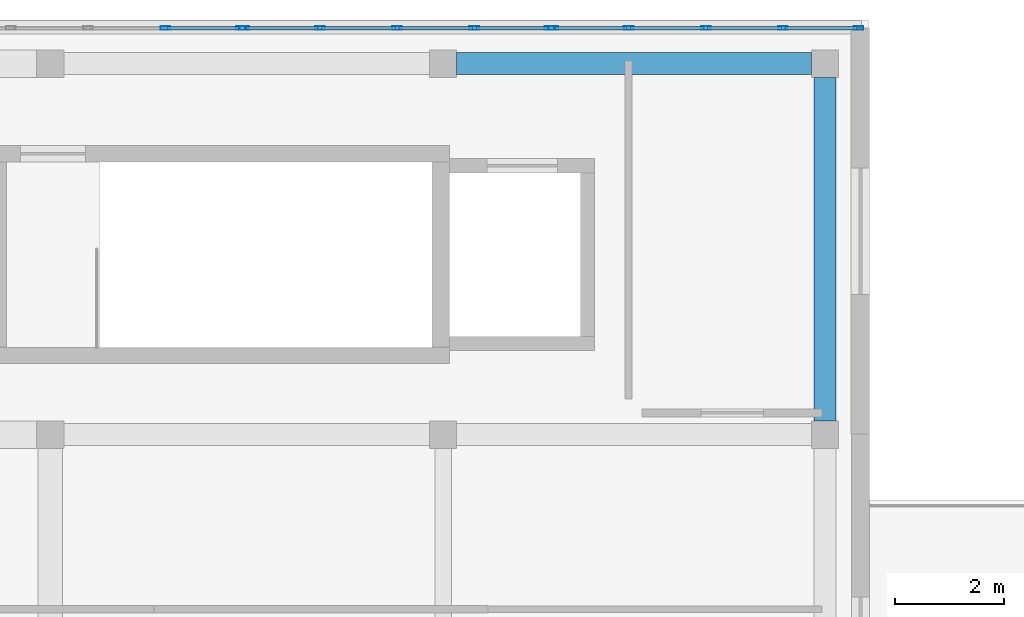
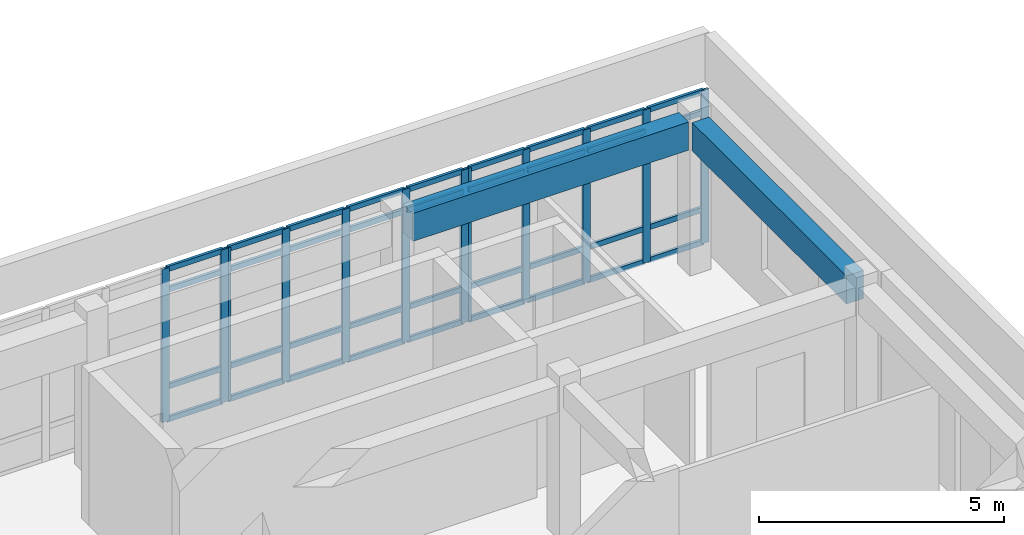
# One storey, part 10 of 14: 48 members, 2 beams, 3 elements without a shape of their own.
"""IFC4 building model written with IfcOpenShell, lengths in metres."""

from ifc_helpers import new_model, si_unit, direction, frame, origin, origin_2d, place, context, subcontext, project, spatial, rectangle, hollow_rectangle, extrude, material, layer, layer_set, material_profile, profile_set, type_object, element, aggregate, save


model = new_model("IFC4")

# Units and contexts
model_context = context("Model", 3, precision=1e-05, world=origin(), true_north=direction((0.0, 1.0)))
body_context = subcontext(model_context, "Body", "Model", "MODEL_VIEW")
ifc_project = project(units=[si_unit("LENGTHUNIT", "METRE"), si_unit("AREAUNIT", "SQUARE_METRE"), si_unit("VOLUMEUNIT", "CUBIC_METRE"), si_unit("PLANEANGLEUNIT", "RADIAN"), si_unit("MASSUNIT", "GRAM", prefix="KILO")], contexts=[model_context])

# Site, building, storey
site_placement = place(None, origin())
site = spatial("IfcSite", under=ifc_project, at=site_placement, CompositionType="ELEMENT")
building_placement = place(site_placement, origin())
building = spatial("IfcBuilding", under=site, at=building_placement, Name="Valcora Specialist Clinic", CompositionType="ELEMENT")
storey_placement = place(building_placement, frame((0.0, 0.0, 21.760009765625)))
storey = spatial("IfcBuildingStorey", under=building, at=storey_placement, Name="L05", CompositionType="ELEMENT", Elevation=21.760009765625)

# Beams
ifc_material_1 = material(Name="Concrete C40/50", Category="concrete")
ifc_material_profile_1 = material_profile(ifc_material_1, rectangle(XDim=0.39990234375, YDim=0.699951171875, at=origin_2d()), Name="RC-BM-400X700")
ifc_profile_set_1 = profile_set([ifc_material_profile_1], Name="Concrete C40/50")
beam_type = type_object("IfcBeamType", Name="TY-BM-RC400X700", PredefinedType="BEAM", material=ifc_profile_set_1)
beam_1_placement = place(storey_placement, frame((38.050048828125, 22.0, 3.4599609375), z_axis=(1.0, 0.0, 0.0), x_axis=(0.0, 1.0, 0.0)))
element("IfcBeam", 1, at=beam_1_placement, inside=storey, type_object=beam_type, Name="Beam BM-L05-1132", PredefinedType="BEAM", context=body_context, shape_type="SweptSolid", body=[
    extrude(rectangle(XDim=0.39990234375, YDim=0.699951171875, at=origin_2d()), origin(), (0.0, 0.0, 1.0), 6.5),
])
beam_2_placement = place(storey_placement, frame((44.800048828125, 15.449951171875, 3.4599609375), z_axis=(0.0, 1.0, 0.0), x_axis=(-1.0, 0.0, 0.0)))
element("IfcBeam", 2, at=beam_2_placement, inside=storey, type_object=beam_type, Name="Beam BM-L05-1148", PredefinedType="BEAM", context=body_context, shape_type="SweptSolid", body=[
    extrude(rectangle(XDim=0.39990234375, YDim=0.699951171875, at=origin_2d()), origin(), (0.0, 0.0, 1.0), 6.300048828125),
])

# Curtain wall, members
ifc_material_2 = material(Name="Anodized Bronze Aluminium 6063-T6", Category="aluminium")
ifc_layer = layer(ifc_material_2, 0.175048828125)
ifc_layer_set = layer_set([ifc_layer], Name="Anodized Bronze Aluminium 6063-T6")
curtain_wall_type = type_object("IfcCurtainWallType", Name="TY-CW-V5F15", PredefinedType="NOTDEFINED", material=ifc_layer_set)
curtain_wall_1_placement = place(storey_placement, origin())
curtain_wall_1 = element("IfcCurtainWall", 3, at=curtain_wall_1_placement, inside=storey, type_object=curtain_wall_type, Name="Curtain wall CW-L05-183", PredefinedType="NOTDEFINED")
ifc_material_profile_2 = material_profile(ifc_material_2, hollow_rectangle(XDim=0.06494140625, YDim=0.175048828125, WallThickness=0.00390625, at=origin_2d()), Name="AL-MUL-65X175")
ifc_profile_set_2 = profile_set([ifc_material_profile_2], Name="Anodized Bronze Aluminium 6063-T6")
member_type_1 = type_object("IfcMemberType", Name="TY-CWM-65X175", PredefinedType="MULLION", material=ifc_profile_set_2)
member_1_placement = place(storey_placement, frame((32.70947265625, 22.64990234375, 0.0), z_axis=(0.0, 0.0, 1.0), x_axis=(0.0, 1.0, 0.0)))
member_1 = element("IfcMember", 4, at=member_1_placement, type_object=member_type_1, Name="CW-V5F-15 mullion 4", PredefinedType="MULLION", context=body_context, shape_type="SweptSolid", body=[
    extrude(hollow_rectangle(XDim=0.06494140625, YDim=0.175048828125, WallThickness=0.00390625, at=origin_2d()), origin(), (0.0, 0.0, 1.0), 3.81005859375),
])
member_2_placement = place(storey_placement, frame((34.092529296875, 22.64990234375, 0.0), z_axis=(0.0, 0.0, 1.0), x_axis=(0.0, 1.0, 0.0)))
member_2 = element("IfcMember", 5, at=member_2_placement, type_object=member_type_1, Name="CW-V5F-15 mullion 5", PredefinedType="MULLION", context=body_context, shape_type="SweptSolid", body=[
    extrude(hollow_rectangle(XDim=0.06494140625, YDim=0.175048828125, WallThickness=0.00390625, at=origin_2d()), origin(), (0.0, 0.0, 1.0), 3.81005859375),
])

curtain_wall_2_placement = place(storey_placement, origin())
curtain_wall_2 = element("IfcCurtainWall", 6, at=curtain_wall_2_placement, inside=storey, type_object=curtain_wall_type, Name="Curtain wall CW-L05-184", PredefinedType="NOTDEFINED")
member_3_placement = place(storey_placement, frame((34.157470703125, 22.64990234375, 0.0), z_axis=(0.0, 0.0, 1.0), x_axis=(0.0, 1.0, 0.0)))
member_3 = element("IfcMember", 7, at=member_3_placement, type_object=member_type_1, Name="CW-V5F-15 mullion 1", PredefinedType="MULLION", context=body_context, shape_type="SweptSolid", body=[
    extrude(hollow_rectangle(XDim=0.06494140625, YDim=0.175048828125, WallThickness=0.00390625, at=origin_2d()), origin(), (0.0, 0.0, 1.0), 3.81005859375),
])
member_4_placement = place(storey_placement, frame((35.54052734375, 22.64990234375, 0.0), z_axis=(0.0, 0.0, 1.0), x_axis=(0.0, 1.0, 0.0)))
member_4 = element("IfcMember", 8, at=member_4_placement, type_object=member_type_1, Name="CW-V5F-15 mullion 2", PredefinedType="MULLION", context=body_context, shape_type="SweptSolid", body=[
    extrude(hollow_rectangle(XDim=0.06494140625, YDim=0.175048828125, WallThickness=0.00390625, at=origin_2d()), origin(), (0.0, 0.0, 1.0), 3.81005859375),
])
member_5_placement = place(storey_placement, frame((36.956298828125, 22.64990234375, 0.0), z_axis=(0.0, 0.0, 1.0), x_axis=(0.0, 1.0, 0.0)))
member_5 = element("IfcMember", 9, at=member_5_placement, type_object=member_type_1, Name="CW-V5F-15 mullion 3", PredefinedType="MULLION", context=body_context, shape_type="SweptSolid", body=[
    extrude(hollow_rectangle(XDim=0.06494140625, YDim=0.175048828125, WallThickness=0.00390625, at=origin_2d()), origin(), (0.0, 0.0, 1.0), 3.81005859375),
])
member_6_placement = place(storey_placement, frame((38.371826171875, 22.64990234375, 0.0), z_axis=(0.0, 0.0, 1.0), x_axis=(0.0, 1.0, 0.0)))
member_6 = element("IfcMember", 10, at=member_6_placement, type_object=member_type_1, Name="CW-V5F-15 mullion 4", PredefinedType="MULLION", context=body_context, shape_type="SweptSolid", body=[
    extrude(hollow_rectangle(XDim=0.06494140625, YDim=0.175048828125, WallThickness=0.00390625, at=origin_2d()), origin(), (0.0, 0.0, 1.0), 3.81005859375),
])
member_7_placement = place(storey_placement, frame((39.7548828125, 22.64990234375, 0.0), z_axis=(0.0, 0.0, 1.0), x_axis=(0.0, 1.0, 0.0)))
member_7 = element("IfcMember", 11, at=member_7_placement, type_object=member_type_1, Name="CW-V5F-15 mullion 5", PredefinedType="MULLION", context=body_context, shape_type="SweptSolid", body=[
    extrude(hollow_rectangle(XDim=0.06494140625, YDim=0.175048828125, WallThickness=0.00390625, at=origin_2d()), origin(), (0.0, 0.0, 1.0), 3.81005859375),
])

curtain_wall_3_placement = place(storey_placement, origin())
curtain_wall_3 = element("IfcCurtainWall", 12, at=curtain_wall_3_placement, inside=storey, type_object=curtain_wall_type, Name="Curtain wall CW-L05-185", PredefinedType="NOTDEFINED")
member_8_placement = place(storey_placement, frame((39.820068359375, 22.64990234375, 0.0), z_axis=(0.0, 0.0, 1.0), x_axis=(0.0, 1.0, 0.0)))
member_8 = element("IfcMember", 13, at=member_8_placement, type_object=member_type_1, Name="CW-V5F-15 mullion 1", PredefinedType="MULLION", context=body_context, shape_type="SweptSolid", body=[
    extrude(hollow_rectangle(XDim=0.06494140625, YDim=0.175048828125, WallThickness=0.00390625, at=origin_2d()), origin(), (0.0, 0.0, 1.0), 3.81005859375),
])
member_9_placement = place(storey_placement, frame((41.203125, 22.64990234375, 0.0), z_axis=(0.0, 0.0, 1.0), x_axis=(0.0, 1.0, 0.0)))
member_9 = element("IfcMember", 14, at=member_9_placement, type_object=member_type_1, Name="CW-V5F-15 mullion 2", PredefinedType="MULLION", context=body_context, shape_type="SweptSolid", body=[
    extrude(hollow_rectangle(XDim=0.06494140625, YDim=0.175048828125, WallThickness=0.00390625, at=origin_2d()), origin(), (0.0, 0.0, 1.0), 3.81005859375),
])
member_10_placement = place(storey_placement, frame((42.61865234375, 22.64990234375, 0.0), z_axis=(0.0, 0.0, 1.0), x_axis=(0.0, 1.0, 0.0)))
member_10 = element("IfcMember", 15, at=member_10_placement, type_object=member_type_1, Name="CW-V5F-15 mullion 3", PredefinedType="MULLION", context=body_context, shape_type="SweptSolid", body=[
    extrude(hollow_rectangle(XDim=0.06494140625, YDim=0.175048828125, WallThickness=0.00390625, at=origin_2d()), origin(), (0.0, 0.0, 1.0), 3.81005859375),
])
member_11_placement = place(storey_placement, frame((44.034423828125, 22.64990234375, 0.0), z_axis=(0.0, 0.0, 1.0), x_axis=(0.0, 1.0, 0.0)))
member_11 = element("IfcMember", 16, at=member_11_placement, type_object=member_type_1, Name="CW-V5F-15 mullion 4", PredefinedType="MULLION", context=body_context, shape_type="SweptSolid", body=[
    extrude(hollow_rectangle(XDim=0.06494140625, YDim=0.175048828125, WallThickness=0.00390625, at=origin_2d()), origin(), (0.0, 0.0, 1.0), 3.81005859375),
])
member_12_placement = place(storey_placement, frame((45.41748046875, 22.64990234375, 0.0), z_axis=(0.0, 0.0, 1.0), x_axis=(0.0, 1.0, 0.0)))
member_12 = element("IfcMember", 17, at=member_12_placement, type_object=member_type_1, Name="CW-V5F-15 mullion 5", PredefinedType="MULLION", context=body_context, shape_type="SweptSolid", body=[
    extrude(hollow_rectangle(XDim=0.06494140625, YDim=0.175048828125, WallThickness=0.00390625, at=origin_2d()), origin(), (0.0, 0.0, 1.0), 3.81005859375),
])

# Member
ifc_material_profile_3 = material_profile(ifc_material_2, hollow_rectangle(XDim=0.06494140625, YDim=0.1298828125, WallThickness=0.00390625, at=origin_2d()), Name="AL-TRN-65X130")
ifc_profile_set_3 = profile_set([ifc_material_profile_3], Name="Anodized Bronze Aluminium 6063-T6")
member_type_2 = type_object("IfcMemberType", Name="TY-CWT-65X130", PredefinedType="USERDEFINED", material=ifc_profile_set_3)
member_13_placement = place(storey_placement, frame((32.741943359375, 22.64990234375, 0.032470703125), z_axis=(1.0, 0.0, 0.0), x_axis=(0.0, 1.0, 0.0)))
member_13 = element("IfcMember", 18, at=member_13_placement, type_object=member_type_2, Name="CW-V5F-15 transom 4.1", ObjectType="TRANSOM", PredefinedType="USERDEFINED", context=body_context, shape_type="SweptSolid", body=[
    extrude(hollow_rectangle(XDim=0.06494140625, YDim=0.1298828125, WallThickness=0.00390625, at=origin_2d()), origin(), (0.0, 0.0, 1.0), 1.318115234375),
])

member_14_placement = place(storey_placement, frame((32.741943359375, 22.64990234375, 0.85009765625), z_axis=(1.0, 0.0, 0.0), x_axis=(0.0, 1.0, 0.0)))
member_14 = element("IfcMember", 19, at=member_14_placement, type_object=member_type_2, Name="CW-V5F-15 transom 4.2", ObjectType="TRANSOM", PredefinedType="USERDEFINED", context=body_context, shape_type="SweptSolid", body=[
    extrude(hollow_rectangle(XDim=0.06494140625, YDim=0.1298828125, WallThickness=0.00390625, at=origin_2d()), origin(), (0.0, 0.0, 1.0), 1.318115234375),
])

member_15_placement = place(storey_placement, frame((32.741943359375, 22.64990234375, 3.260009765625), z_axis=(1.0, 0.0, 0.0), x_axis=(0.0, 1.0, 0.0)))
member_15 = element("IfcMember", 20, at=member_15_placement, type_object=member_type_2, Name="CW-V5F-15 transom 4.3", ObjectType="TRANSOM", PredefinedType="USERDEFINED", context=body_context, shape_type="SweptSolid", body=[
    extrude(hollow_rectangle(XDim=0.06494140625, YDim=0.1298828125, WallThickness=0.00390625, at=origin_2d()), origin(), (0.0, 0.0, 1.0), 1.318115234375),
])

member_16_placement = place(storey_placement, frame((32.741943359375, 22.64990234375, 3.777587890625), z_axis=(1.0, 0.0, 0.0), x_axis=(0.0, 1.0, 0.0)))
member_16 = element("IfcMember", 21, at=member_16_placement, type_object=member_type_2, Name="CW-V5F-15 transom 4.4", ObjectType="TRANSOM", PredefinedType="USERDEFINED", context=body_context, shape_type="SweptSolid", body=[
    extrude(hollow_rectangle(XDim=0.06494140625, YDim=0.1298828125, WallThickness=0.00390625, at=origin_2d()), origin(), (0.0, 0.0, 1.0), 1.318115234375),
])

aggregate(curtain_wall_1, [member_1, member_2, member_13, member_14, member_15, member_16])

member_17_placement = place(storey_placement, frame((34.18994140625, 22.64990234375, 0.032470703125), z_axis=(1.0, 0.0, 0.0), x_axis=(0.0, 1.0, 0.0)))
member_17 = element("IfcMember", 22, at=member_17_placement, type_object=member_type_2, Name="CW-V5F-15 transom 1.1", ObjectType="TRANSOM", PredefinedType="USERDEFINED", context=body_context, shape_type="SweptSolid", body=[
    extrude(hollow_rectangle(XDim=0.06494140625, YDim=0.1298828125, WallThickness=0.00390625, at=origin_2d()), origin(), (0.0, 0.0, 1.0), 1.318115234375),
])

member_18_placement = place(storey_placement, frame((34.18994140625, 22.64990234375, 0.85009765625), z_axis=(1.0, 0.0, 0.0), x_axis=(0.0, 1.0, 0.0)))
member_18 = element("IfcMember", 23, at=member_18_placement, type_object=member_type_2, Name="CW-V5F-15 transom 1.2", ObjectType="TRANSOM", PredefinedType="USERDEFINED", context=body_context, shape_type="SweptSolid", body=[
    extrude(hollow_rectangle(XDim=0.06494140625, YDim=0.1298828125, WallThickness=0.00390625, at=origin_2d()), origin(), (0.0, 0.0, 1.0), 1.318115234375),
])

member_19_placement = place(storey_placement, frame((34.18994140625, 22.64990234375, 3.260009765625), z_axis=(1.0, 0.0, 0.0), x_axis=(0.0, 1.0, 0.0)))
member_19 = element("IfcMember", 24, at=member_19_placement, type_object=member_type_2, Name="CW-V5F-15 transom 1.3", ObjectType="TRANSOM", PredefinedType="USERDEFINED", context=body_context, shape_type="SweptSolid", body=[
    extrude(hollow_rectangle(XDim=0.06494140625, YDim=0.1298828125, WallThickness=0.00390625, at=origin_2d()), origin(), (0.0, 0.0, 1.0), 1.318115234375),
])

member_20_placement = place(storey_placement, frame((34.18994140625, 22.64990234375, 3.777587890625), z_axis=(1.0, 0.0, 0.0), x_axis=(0.0, 1.0, 0.0)))
member_20 = element("IfcMember", 25, at=member_20_placement, type_object=member_type_2, Name="CW-V5F-15 transom 1.4", ObjectType="TRANSOM", PredefinedType="USERDEFINED", context=body_context, shape_type="SweptSolid", body=[
    extrude(hollow_rectangle(XDim=0.06494140625, YDim=0.1298828125, WallThickness=0.00390625, at=origin_2d()), origin(), (0.0, 0.0, 1.0), 1.318115234375),
])

member_21_placement = place(storey_placement, frame((35.5732421875, 22.64990234375, 0.032470703125), z_axis=(1.0, 0.0, 0.0), x_axis=(0.0, 1.0, 0.0)))
member_21 = element("IfcMember", 26, at=member_21_placement, type_object=member_type_2, Name="CW-V5F-15 transom 2.1", ObjectType="TRANSOM", PredefinedType="USERDEFINED", context=body_context, shape_type="SweptSolid", body=[
    extrude(hollow_rectangle(XDim=0.06494140625, YDim=0.1298828125, WallThickness=0.00390625, at=origin_2d()), origin(), (0.0, 0.0, 1.0), 1.3505859375),
])

member_22_placement = place(storey_placement, frame((35.5732421875, 22.64990234375, 0.85009765625), z_axis=(1.0, 0.0, 0.0), x_axis=(0.0, 1.0, 0.0)))
member_22 = element("IfcMember", 27, at=member_22_placement, type_object=member_type_2, Name="CW-V5F-15 transom 2.2", ObjectType="TRANSOM", PredefinedType="USERDEFINED", context=body_context, shape_type="SweptSolid", body=[
    extrude(hollow_rectangle(XDim=0.06494140625, YDim=0.1298828125, WallThickness=0.00390625, at=origin_2d()), origin(), (0.0, 0.0, 1.0), 1.3505859375),
])

member_23_placement = place(storey_placement, frame((35.5732421875, 22.64990234375, 3.260009765625), z_axis=(1.0, 0.0, 0.0), x_axis=(0.0, 1.0, 0.0)))
member_23 = element("IfcMember", 28, at=member_23_placement, type_object=member_type_2, Name="CW-V5F-15 transom 2.3", ObjectType="TRANSOM", PredefinedType="USERDEFINED", context=body_context, shape_type="SweptSolid", body=[
    extrude(hollow_rectangle(XDim=0.06494140625, YDim=0.1298828125, WallThickness=0.00390625, at=origin_2d()), origin(), (0.0, 0.0, 1.0), 1.3505859375),
])

member_24_placement = place(storey_placement, frame((35.5732421875, 22.64990234375, 3.777587890625), z_axis=(1.0, 0.0, 0.0), x_axis=(0.0, 1.0, 0.0)))
member_24 = element("IfcMember", 29, at=member_24_placement, type_object=member_type_2, Name="CW-V5F-15 transom 2.4", ObjectType="TRANSOM", PredefinedType="USERDEFINED", context=body_context, shape_type="SweptSolid", body=[
    extrude(hollow_rectangle(XDim=0.06494140625, YDim=0.1298828125, WallThickness=0.00390625, at=origin_2d()), origin(), (0.0, 0.0, 1.0), 1.3505859375),
])

member_25_placement = place(storey_placement, frame((36.98876953125, 22.64990234375, 0.032470703125), z_axis=(1.0, 0.0, 0.0), x_axis=(0.0, 1.0, 0.0)))
member_25 = element("IfcMember", 30, at=member_25_placement, type_object=member_type_2, Name="CW-V5F-15 transom 3.1", ObjectType="TRANSOM", PredefinedType="USERDEFINED", context=body_context, shape_type="SweptSolid", body=[
    extrude(hollow_rectangle(XDim=0.06494140625, YDim=0.1298828125, WallThickness=0.00390625, at=origin_2d()), origin(), (0.0, 0.0, 1.0), 1.3505859375),
])

member_26_placement = place(storey_placement, frame((36.98876953125, 22.64990234375, 0.85009765625), z_axis=(1.0, 0.0, 0.0), x_axis=(0.0, 1.0, 0.0)))
member_26 = element("IfcMember", 31, at=member_26_placement, type_object=member_type_2, Name="CW-V5F-15 transom 3.2", ObjectType="TRANSOM", PredefinedType="USERDEFINED", context=body_context, shape_type="SweptSolid", body=[
    extrude(hollow_rectangle(XDim=0.06494140625, YDim=0.1298828125, WallThickness=0.00390625, at=origin_2d()), origin(), (0.0, 0.0, 1.0), 1.3505859375),
])

member_27_placement = place(storey_placement, frame((36.98876953125, 22.64990234375, 3.260009765625), z_axis=(1.0, 0.0, 0.0), x_axis=(0.0, 1.0, 0.0)))
member_27 = element("IfcMember", 32, at=member_27_placement, type_object=member_type_2, Name="CW-V5F-15 transom 3.3", ObjectType="TRANSOM", PredefinedType="USERDEFINED", context=body_context, shape_type="SweptSolid", body=[
    extrude(hollow_rectangle(XDim=0.06494140625, YDim=0.1298828125, WallThickness=0.00390625, at=origin_2d()), origin(), (0.0, 0.0, 1.0), 1.3505859375),
])

member_28_placement = place(storey_placement, frame((36.98876953125, 22.64990234375, 3.777587890625), z_axis=(1.0, 0.0, 0.0), x_axis=(0.0, 1.0, 0.0)))
member_28 = element("IfcMember", 33, at=member_28_placement, type_object=member_type_2, Name="CW-V5F-15 transom 3.4", ObjectType="TRANSOM", PredefinedType="USERDEFINED", context=body_context, shape_type="SweptSolid", body=[
    extrude(hollow_rectangle(XDim=0.06494140625, YDim=0.1298828125, WallThickness=0.00390625, at=origin_2d()), origin(), (0.0, 0.0, 1.0), 1.3505859375),
])

member_29_placement = place(storey_placement, frame((38.404296875, 22.64990234375, 0.032470703125), z_axis=(1.0, 0.0, 0.0), x_axis=(0.0, 1.0, 0.0)))
member_29 = element("IfcMember", 34, at=member_29_placement, type_object=member_type_2, Name="CW-V5F-15 transom 4.1", ObjectType="TRANSOM", PredefinedType="USERDEFINED", context=body_context, shape_type="SweptSolid", body=[
    extrude(hollow_rectangle(XDim=0.06494140625, YDim=0.1298828125, WallThickness=0.00390625, at=origin_2d()), origin(), (0.0, 0.0, 1.0), 1.318115234375),
])

member_30_placement = place(storey_placement, frame((38.404296875, 22.64990234375, 0.85009765625), z_axis=(1.0, 0.0, 0.0), x_axis=(0.0, 1.0, 0.0)))
member_30 = element("IfcMember", 35, at=member_30_placement, type_object=member_type_2, Name="CW-V5F-15 transom 4.2", ObjectType="TRANSOM", PredefinedType="USERDEFINED", context=body_context, shape_type="SweptSolid", body=[
    extrude(hollow_rectangle(XDim=0.06494140625, YDim=0.1298828125, WallThickness=0.00390625, at=origin_2d()), origin(), (0.0, 0.0, 1.0), 1.318115234375),
])

member_31_placement = place(storey_placement, frame((38.404296875, 22.64990234375, 3.260009765625), z_axis=(1.0, 0.0, 0.0), x_axis=(0.0, 1.0, 0.0)))
member_31 = element("IfcMember", 36, at=member_31_placement, type_object=member_type_2, Name="CW-V5F-15 transom 4.3", ObjectType="TRANSOM", PredefinedType="USERDEFINED", context=body_context, shape_type="SweptSolid", body=[
    extrude(hollow_rectangle(XDim=0.06494140625, YDim=0.1298828125, WallThickness=0.00390625, at=origin_2d()), origin(), (0.0, 0.0, 1.0), 1.318115234375),
])

member_32_placement = place(storey_placement, frame((38.404296875, 22.64990234375, 3.777587890625), z_axis=(1.0, 0.0, 0.0), x_axis=(0.0, 1.0, 0.0)))
member_32 = element("IfcMember", 37, at=member_32_placement, type_object=member_type_2, Name="CW-V5F-15 transom 4.4", ObjectType="TRANSOM", PredefinedType="USERDEFINED", context=body_context, shape_type="SweptSolid", body=[
    extrude(hollow_rectangle(XDim=0.06494140625, YDim=0.1298828125, WallThickness=0.00390625, at=origin_2d()), origin(), (0.0, 0.0, 1.0), 1.318115234375),
])

aggregate(curtain_wall_2, [member_3, member_4, member_5, member_6, member_7, member_17, member_18, member_19, member_20, member_21, member_22, member_23, member_24, member_25, member_26, member_27, member_28, member_29, member_30, member_31, member_32])

member_33_placement = place(storey_placement, frame((39.8525390625, 22.64990234375, 0.032470703125), z_axis=(1.0, 0.0, 0.0), x_axis=(0.0, 1.0, 0.0)))
member_33 = element("IfcMember", 38, at=member_33_placement, type_object=member_type_2, Name="CW-V5F-15 transom 1.1", ObjectType="TRANSOM", PredefinedType="USERDEFINED", context=body_context, shape_type="SweptSolid", body=[
    extrude(hollow_rectangle(XDim=0.06494140625, YDim=0.1298828125, WallThickness=0.00390625, at=origin_2d()), origin(), (0.0, 0.0, 1.0), 1.318115234375),
])

member_34_placement = place(storey_placement, frame((39.8525390625, 22.64990234375, 0.85009765625), z_axis=(1.0, 0.0, 0.0), x_axis=(0.0, 1.0, 0.0)))
member_34 = element("IfcMember", 39, at=member_34_placement, type_object=member_type_2, Name="CW-V5F-15 transom 1.2", ObjectType="TRANSOM", PredefinedType="USERDEFINED", context=body_context, shape_type="SweptSolid", body=[
    extrude(hollow_rectangle(XDim=0.06494140625, YDim=0.1298828125, WallThickness=0.00390625, at=origin_2d()), origin(), (0.0, 0.0, 1.0), 1.318115234375),
])

member_35_placement = place(storey_placement, frame((39.8525390625, 22.64990234375, 3.260009765625), z_axis=(1.0, 0.0, 0.0), x_axis=(0.0, 1.0, 0.0)))
member_35 = element("IfcMember", 40, at=member_35_placement, type_object=member_type_2, Name="CW-V5F-15 transom 1.3", ObjectType="TRANSOM", PredefinedType="USERDEFINED", context=body_context, shape_type="SweptSolid", body=[
    extrude(hollow_rectangle(XDim=0.06494140625, YDim=0.1298828125, WallThickness=0.00390625, at=origin_2d()), origin(), (0.0, 0.0, 1.0), 1.318115234375),
])

member_36_placement = place(storey_placement, frame((39.8525390625, 22.64990234375, 3.777587890625), z_axis=(1.0, 0.0, 0.0), x_axis=(0.0, 1.0, 0.0)))
member_36 = element("IfcMember", 41, at=member_36_placement, type_object=member_type_2, Name="CW-V5F-15 transom 1.4", ObjectType="TRANSOM", PredefinedType="USERDEFINED", context=body_context, shape_type="SweptSolid", body=[
    extrude(hollow_rectangle(XDim=0.06494140625, YDim=0.1298828125, WallThickness=0.00390625, at=origin_2d()), origin(), (0.0, 0.0, 1.0), 1.318115234375),
])

member_37_placement = place(storey_placement, frame((41.235595703125, 22.64990234375, 0.032470703125), z_axis=(1.0, 0.0, 0.0), x_axis=(0.0, 1.0, 0.0)))
member_37 = element("IfcMember", 42, at=member_37_placement, type_object=member_type_2, Name="CW-V5F-15 transom 2.1", ObjectType="TRANSOM", PredefinedType="USERDEFINED", context=body_context, shape_type="SweptSolid", body=[
    extrude(hollow_rectangle(XDim=0.06494140625, YDim=0.1298828125, WallThickness=0.00390625, at=origin_2d()), origin(), (0.0, 0.0, 1.0), 1.3505859375),
])

member_38_placement = place(storey_placement, frame((41.235595703125, 22.64990234375, 0.85009765625), z_axis=(1.0, 0.0, 0.0), x_axis=(0.0, 1.0, 0.0)))
member_38 = element("IfcMember", 43, at=member_38_placement, type_object=member_type_2, Name="CW-V5F-15 transom 2.2", ObjectType="TRANSOM", PredefinedType="USERDEFINED", context=body_context, shape_type="SweptSolid", body=[
    extrude(hollow_rectangle(XDim=0.06494140625, YDim=0.1298828125, WallThickness=0.00390625, at=origin_2d()), origin(), (0.0, 0.0, 1.0), 1.3505859375),
])

member_39_placement = place(storey_placement, frame((41.235595703125, 22.64990234375, 3.260009765625), z_axis=(1.0, 0.0, 0.0), x_axis=(0.0, 1.0, 0.0)))
member_39 = element("IfcMember", 44, at=member_39_placement, type_object=member_type_2, Name="CW-V5F-15 transom 2.3", ObjectType="TRANSOM", PredefinedType="USERDEFINED", context=body_context, shape_type="SweptSolid", body=[
    extrude(hollow_rectangle(XDim=0.06494140625, YDim=0.1298828125, WallThickness=0.00390625, at=origin_2d()), origin(), (0.0, 0.0, 1.0), 1.3505859375),
])

member_40_placement = place(storey_placement, frame((41.235595703125, 22.64990234375, 3.777587890625), z_axis=(1.0, 0.0, 0.0), x_axis=(0.0, 1.0, 0.0)))
member_40 = element("IfcMember", 45, at=member_40_placement, type_object=member_type_2, Name="CW-V5F-15 transom 2.4", ObjectType="TRANSOM", PredefinedType="USERDEFINED", context=body_context, shape_type="SweptSolid", body=[
    extrude(hollow_rectangle(XDim=0.06494140625, YDim=0.1298828125, WallThickness=0.00390625, at=origin_2d()), origin(), (0.0, 0.0, 1.0), 1.3505859375),
])

member_41_placement = place(storey_placement, frame((42.6513671875, 22.64990234375, 0.032470703125), z_axis=(1.0, 0.0, 0.0), x_axis=(0.0, 1.0, 0.0)))
member_41 = element("IfcMember", 46, at=member_41_placement, type_object=member_type_2, Name="CW-V5F-15 transom 3.1", ObjectType="TRANSOM", PredefinedType="USERDEFINED", context=body_context, shape_type="SweptSolid", body=[
    extrude(hollow_rectangle(XDim=0.06494140625, YDim=0.1298828125, WallThickness=0.00390625, at=origin_2d()), origin(), (0.0, 0.0, 1.0), 1.3505859375),
])

member_42_placement = place(storey_placement, frame((42.6513671875, 22.64990234375, 0.85009765625), z_axis=(1.0, 0.0, 0.0), x_axis=(0.0, 1.0, 0.0)))
member_42 = element("IfcMember", 47, at=member_42_placement, type_object=member_type_2, Name="CW-V5F-15 transom 3.2", ObjectType="TRANSOM", PredefinedType="USERDEFINED", context=body_context, shape_type="SweptSolid", body=[
    extrude(hollow_rectangle(XDim=0.06494140625, YDim=0.1298828125, WallThickness=0.00390625, at=origin_2d()), origin(), (0.0, 0.0, 1.0), 1.3505859375),
])

member_43_placement = place(storey_placement, frame((42.6513671875, 22.64990234375, 3.260009765625), z_axis=(1.0, 0.0, 0.0), x_axis=(0.0, 1.0, 0.0)))
member_43 = element("IfcMember", 48, at=member_43_placement, type_object=member_type_2, Name="CW-V5F-15 transom 3.3", ObjectType="TRANSOM", PredefinedType="USERDEFINED", context=body_context, shape_type="SweptSolid", body=[
    extrude(hollow_rectangle(XDim=0.06494140625, YDim=0.1298828125, WallThickness=0.00390625, at=origin_2d()), origin(), (0.0, 0.0, 1.0), 1.3505859375),
])

member_44_placement = place(storey_placement, frame((42.6513671875, 22.64990234375, 3.777587890625), z_axis=(1.0, 0.0, 0.0), x_axis=(0.0, 1.0, 0.0)))
member_44 = element("IfcMember", 49, at=member_44_placement, type_object=member_type_2, Name="CW-V5F-15 transom 3.4", ObjectType="TRANSOM", PredefinedType="USERDEFINED", context=body_context, shape_type="SweptSolid", body=[
    extrude(hollow_rectangle(XDim=0.06494140625, YDim=0.1298828125, WallThickness=0.00390625, at=origin_2d()), origin(), (0.0, 0.0, 1.0), 1.3505859375),
])

member_45_placement = place(storey_placement, frame((44.06689453125, 22.64990234375, 0.032470703125), z_axis=(1.0, 0.0, 0.0), x_axis=(0.0, 1.0, 0.0)))
member_45 = element("IfcMember", 50, at=member_45_placement, type_object=member_type_2, Name="CW-V5F-15 transom 4.1", ObjectType="TRANSOM", PredefinedType="USERDEFINED", context=body_context, shape_type="SweptSolid", body=[
    extrude(hollow_rectangle(XDim=0.06494140625, YDim=0.1298828125, WallThickness=0.00390625, at=origin_2d()), origin(), (0.0, 0.0, 1.0), 1.318115234375),
])

member_46_placement = place(storey_placement, frame((44.06689453125, 22.64990234375, 0.85009765625), z_axis=(1.0, 0.0, 0.0), x_axis=(0.0, 1.0, 0.0)))
member_46 = element("IfcMember", 51, at=member_46_placement, type_object=member_type_2, Name="CW-V5F-15 transom 4.2", ObjectType="TRANSOM", PredefinedType="USERDEFINED", context=body_context, shape_type="SweptSolid", body=[
    extrude(hollow_rectangle(XDim=0.06494140625, YDim=0.1298828125, WallThickness=0.00390625, at=origin_2d()), origin(), (0.0, 0.0, 1.0), 1.318115234375),
])

member_47_placement = place(storey_placement, frame((44.06689453125, 22.64990234375, 3.260009765625), z_axis=(1.0, 0.0, 0.0), x_axis=(0.0, 1.0, 0.0)))
member_47 = element("IfcMember", 52, at=member_47_placement, type_object=member_type_2, Name="CW-V5F-15 transom 4.3", ObjectType="TRANSOM", PredefinedType="USERDEFINED", context=body_context, shape_type="SweptSolid", body=[
    extrude(hollow_rectangle(XDim=0.06494140625, YDim=0.1298828125, WallThickness=0.00390625, at=origin_2d()), origin(), (0.0, 0.0, 1.0), 1.318115234375),
])

member_48_placement = place(storey_placement, frame((44.06689453125, 22.64990234375, 3.777587890625), z_axis=(1.0, 0.0, 0.0), x_axis=(0.0, 1.0, 0.0)))
member_48 = element("IfcMember", 53, at=member_48_placement, type_object=member_type_2, Name="CW-V5F-15 transom 4.4", ObjectType="TRANSOM", PredefinedType="USERDEFINED", context=body_context, shape_type="SweptSolid", body=[
    extrude(hollow_rectangle(XDim=0.06494140625, YDim=0.1298828125, WallThickness=0.00390625, at=origin_2d()), origin(), (0.0, 0.0, 1.0), 1.318115234375),
])

aggregate(curtain_wall_3, [member_8, member_9, member_10, member_11, member_12, member_33, member_34, member_35, member_36, member_37, member_38, member_39, member_40, member_41, member_42, member_43, member_44, member_45, member_46, member_47, member_48])

save(model, "model.ifc")
